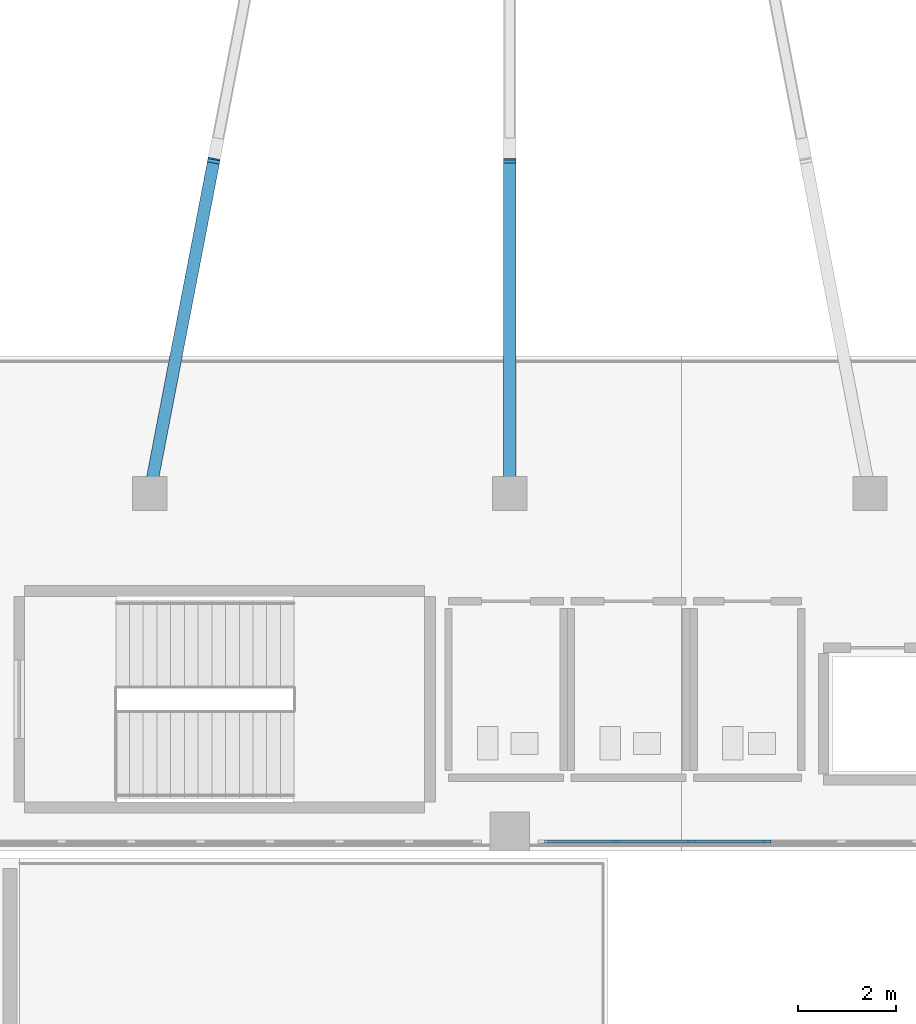
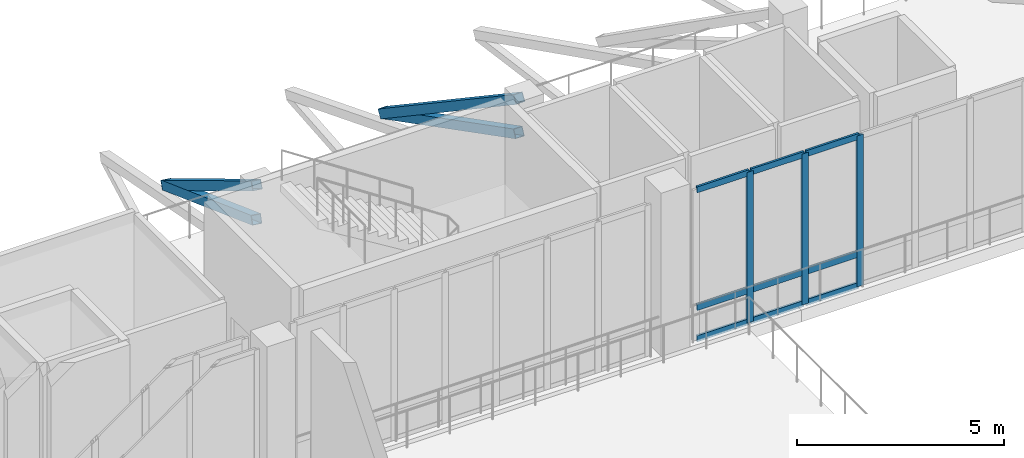
# One storey, part 9 of 79: 16 members, 1 element without a shape of its own.
"""IFC4 building model written with IfcOpenShell, lengths in metres."""

from ifc_helpers import new_model, si_unit, derived_unit, direction, frame, origin, origin_2d, place, context, subcontext, project, spatial, rectangle, hollow_rectangle, extrude, material, layer, layer_set, material_profile, profile_set, type_object, element, aggregate, save


model = new_model("IFC4")

# Units and contexts
model_context = context("Model", 3, precision=1e-05, world=origin(), true_north=direction((0.0, 1.0)))
body_context = subcontext(model_context, "Body", "Model", "MODEL_VIEW")
ifc_project = project(units=[si_unit("LENGTHUNIT", "METRE"), si_unit("AREAUNIT", "SQUARE_METRE"), si_unit("VOLUMEUNIT", "CUBIC_METRE"), si_unit("PLANEANGLEUNIT", "RADIAN"), si_unit("MASSUNIT", "GRAM", prefix="KILO"), derived_unit("THERMALTRANSMITTANCEUNIT", [(si_unit("MASSUNIT", "GRAM", prefix="KILO"), 1), (si_unit("TIMEUNIT", "SECOND"), -3), (si_unit("THERMODYNAMICTEMPERATUREUNIT", "KELVIN"), -1)])], contexts=[model_context])

# Site, building, storey
site_placement = place(None, origin())
site = spatial("IfcSite", under=ifc_project, at=site_placement, CompositionType="ELEMENT")
building_placement = place(site_placement, origin())
building = spatial("IfcBuilding", under=site, at=building_placement, Name="Valcora Ridge Arena", CompositionType="ELEMENT")
storey_placement = place(building_placement, frame((0.0, 0.0, 16.199951171875)))
storey = spatial("IfcBuildingStorey", under=building, at=storey_placement, Name="L03", CompositionType="ELEMENT", Elevation=16.199951171875)

# Curtain wall, members
ifc_material_1 = material(Name="Anodised dark bronze architectural aluminium 6063-T6", Category="aluminium")
ifc_layer = layer(ifc_material_1, 0.179931640625, Name="Anodised dark bronze architectural aluminium 6063-T6")
ifc_layer_set = layer_set([ifc_layer], Name="Anodised dark bronze architectural aluminium 6063-T6")
curtain_wall_type = type_object("IfcCurtainWallType", Name="TY-CURTAINWALL-CW-V1-GOTH-107X44", PredefinedType="NOTDEFINED", material=ifc_layer_set)
curtain_wall_placement = place(storey_placement, origin())
curtain_wall = element("IfcCurtainWall", 1, at=curtain_wall_placement, inside=storey, type_object=curtain_wall_type, Name="CW-V1-GOTH-107X44 CW-0139", PredefinedType="NOTDEFINED")
ifc_material_profile_1 = material_profile(ifc_material_1, rectangle(XDim=0.06005859375, YDim=0.179931640625, at=origin_2d()), Name="ALU MULLION 60x180")
ifc_profile_set_1 = profile_set([ifc_material_profile_1], Name="Anodised dark bronze architectural aluminium 6063-T6")
member_type_1 = type_object("IfcMemberType", Name="TY-MEM-CWM-60x180", PredefinedType="MULLION", material=ifc_profile_set_1)
member_1_placement = place(storey_placement, frame((60.17138671875, 20.199951171875, 0.0), z_axis=(0.0, 0.0, 1.0), x_axis=(0.0, 1.0, 0.0)))
member_1 = element("IfcMember", 2, at=member_1_placement, type_object=member_type_1, Name="CW-0139/CWM-60x180/M01", PredefinedType="MULLION", context=body_context, shape_type="SweptSolid", body=[
    extrude(rectangle(XDim=0.06005859375, YDim=0.179931640625, at=origin_2d()), origin(), (0.0, 0.0, 1.0), 4.43994140625),
])
member_2_placement = place(storey_placement, frame((61.702880859375, 20.199951171875, 0.0), z_axis=(0.0, 0.0, 1.0), x_axis=(0.0, 1.0, 0.0)))
member_2 = element("IfcMember", 3, at=member_2_placement, type_object=member_type_1, Name="CW-0139/CWM-60x180/M02", PredefinedType="MULLION", context=body_context, shape_type="SweptSolid", body=[
    extrude(rectangle(XDim=0.06005859375, YDim=0.179931640625, at=origin_2d()), origin(), (0.0, 0.0, 1.0), 4.43994140625),
])
member_3_placement = place(storey_placement, frame((63.234375, 20.199951171875, 0.0), z_axis=(0.0, 0.0, 1.0), x_axis=(0.0, 1.0, 0.0)))
member_3 = element("IfcMember", 4, at=member_3_placement, type_object=member_type_1, Name="CW-0139/CWM-60x180/M03", PredefinedType="MULLION", context=body_context, shape_type="SweptSolid", body=[
    extrude(rectangle(XDim=0.06005859375, YDim=0.179931640625, at=origin_2d()), origin(), (0.0, 0.0, 1.0), 4.43994140625),
])
ifc_material_profile_2 = material_profile(ifc_material_1, rectangle(XDim=0.06005859375, YDim=0.179931640625, at=origin_2d()), Name="ALU TRANSOM 60x180")
ifc_profile_set_2 = profile_set([ifc_material_profile_2], Name="Anodised dark bronze architectural aluminium 6063-T6")
member_type_2 = type_object("IfcMemberType", Name="TY-MEM-CWT-60x180", PredefinedType="USERDEFINED", material=ifc_profile_set_2)
member_4_placement = place(storey_placement, frame((58.699951171875, 20.199951171875, 0.030029296875), z_axis=(1.0, 0.0, 0.0), x_axis=(0.0, 1.0, 0.0)))
member_4 = element("IfcMember", 5, at=member_4_placement, type_object=member_type_2, Name="CW-0139/CWT-60x180/T00-00", ObjectType="TRANSOM", PredefinedType="USERDEFINED", context=body_context, shape_type="SweptSolid", body=[
    extrude(rectangle(XDim=0.06005859375, YDim=0.179931640625, at=origin_2d()), origin(), (0.0, 0.0, 1.0), 1.441162109375),
])
member_5_placement = place(storey_placement, frame((58.699951171875, 20.199951171875, 0.949951171875), z_axis=(1.0, 0.0, 0.0), x_axis=(0.0, 1.0, 0.0)))
member_5 = element("IfcMember", 6, at=member_5_placement, type_object=member_type_2, Name="CW-0139/CWT-60x180/T00-01", ObjectType="TRANSOM", PredefinedType="USERDEFINED", context=body_context, shape_type="SweptSolid", body=[
    extrude(rectangle(XDim=0.06005859375, YDim=0.179931640625, at=origin_2d()), origin(), (0.0, 0.0, 1.0), 1.441162109375),
])
member_6_placement = place(storey_placement, frame((58.699951171875, 20.199951171875, 4.41015625), z_axis=(1.0, 0.0, 0.0), x_axis=(0.0, 1.0, 0.0)))
member_6 = element("IfcMember", 7, at=member_6_placement, type_object=member_type_2, Name="CW-0139/CWT-60x180/T00-02", ObjectType="TRANSOM", PredefinedType="USERDEFINED", context=body_context, shape_type="SweptSolid", body=[
    extrude(rectangle(XDim=0.06005859375, YDim=0.179931640625, at=origin_2d()), origin(), (0.0, 0.0, 1.0), 1.441162109375),
])
member_7_placement = place(storey_placement, frame((60.200927734375, 20.199951171875, 0.030029296875), z_axis=(1.0, 0.0, 0.0), x_axis=(0.0, 1.0, 0.0)))
member_7 = element("IfcMember", 8, at=member_7_placement, type_object=member_type_2, Name="CW-0139/CWT-60x180/T01-00", ObjectType="TRANSOM", PredefinedType="USERDEFINED", context=body_context, shape_type="SweptSolid", body=[
    extrude(rectangle(XDim=0.06005859375, YDim=0.179931640625, at=origin_2d()), origin(), (0.0, 0.0, 1.0), 1.47216796875),
])
member_8_placement = place(storey_placement, frame((60.200927734375, 20.199951171875, 0.949951171875), z_axis=(1.0, 0.0, 0.0), x_axis=(0.0, 1.0, 0.0)))
member_8 = element("IfcMember", 9, at=member_8_placement, type_object=member_type_2, Name="CW-0139/CWT-60x180/T01-01", ObjectType="TRANSOM", PredefinedType="USERDEFINED", context=body_context, shape_type="SweptSolid", body=[
    extrude(rectangle(XDim=0.06005859375, YDim=0.179931640625, at=origin_2d()), origin(), (0.0, 0.0, 1.0), 1.47216796875),
])
member_9_placement = place(storey_placement, frame((60.200927734375, 20.199951171875, 4.41015625), z_axis=(1.0, 0.0, 0.0), x_axis=(0.0, 1.0, 0.0)))
member_9 = element("IfcMember", 10, at=member_9_placement, type_object=member_type_2, Name="CW-0139/CWT-60x180/T01-02", ObjectType="TRANSOM", PredefinedType="USERDEFINED", context=body_context, shape_type="SweptSolid", body=[
    extrude(rectangle(XDim=0.06005859375, YDim=0.179931640625, at=origin_2d()), origin(), (0.0, 0.0, 1.0), 1.47216796875),
])
member_10_placement = place(storey_placement, frame((61.73291015625, 20.199951171875, 0.030029296875), z_axis=(1.0, 0.0, 0.0), x_axis=(0.0, 1.0, 0.0)))
member_10 = element("IfcMember", 11, at=member_10_placement, type_object=member_type_2, Name="CW-0139/CWT-60x180/T02-00", ObjectType="TRANSOM", PredefinedType="USERDEFINED", context=body_context, shape_type="SweptSolid", body=[
    extrude(rectangle(XDim=0.06005859375, YDim=0.179931640625, at=origin_2d()), origin(), (0.0, 0.0, 1.0), 1.47119140625),
])
member_11_placement = place(storey_placement, frame((61.73291015625, 20.199951171875, 0.949951171875), z_axis=(1.0, 0.0, 0.0), x_axis=(0.0, 1.0, 0.0)))
member_11 = element("IfcMember", 12, at=member_11_placement, type_object=member_type_2, Name="CW-0139/CWT-60x180/T02-01", ObjectType="TRANSOM", PredefinedType="USERDEFINED", context=body_context, shape_type="SweptSolid", body=[
    extrude(rectangle(XDim=0.06005859375, YDim=0.179931640625, at=origin_2d()), origin(), (0.0, 0.0, 1.0), 1.47119140625),
])
member_12_placement = place(storey_placement, frame((61.73291015625, 20.199951171875, 4.41015625), z_axis=(1.0, 0.0, 0.0), x_axis=(0.0, 1.0, 0.0)))
member_12 = element("IfcMember", 13, at=member_12_placement, type_object=member_type_2, Name="CW-0139/CWT-60x180/T02-02", ObjectType="TRANSOM", PredefinedType="USERDEFINED", context=body_context, shape_type="SweptSolid", body=[
    extrude(rectangle(XDim=0.06005859375, YDim=0.179931640625, at=origin_2d()), origin(), (0.0, 0.0, 1.0), 1.47119140625),
])
aggregate(curtain_wall, [member_1, member_2, member_3, member_4, member_5, member_6, member_7, member_8, member_9, member_10, member_11, member_12])

# Members
ifc_material_2 = material(Name="Steel ASTM A500 Grade C", Category="steel")
ifc_material_profile_3 = material_profile(ifc_material_2, hollow_rectangle(XDim=0.25, YDim=0.25, WallThickness=0.012451171875, at=origin_2d()), Name="HSS250X250X12")
ifc_profile_set_3 = profile_set([ifc_material_profile_3], Name="Steel ASTM A500 Grade C")
member_type_3 = type_object("IfcMemberType", Name="TY-MEMBER-RKRUC-251", PredefinedType="CHORD", material=ifc_profile_set_3)
member_13_placement = place(storey_placement, frame((51.955810546875, 34.070556640625, -1.495849609375), z_axis=(-0.15809924843, -0.819778413767, 0.550425271919), x_axis=(0.981906452279, -0.189366625818, 0.0)))
element("IfcMember", 14, at=member_13_placement, inside=storey, type_object=member_type_3, Name="RKRUC-251 MBR-RK-RKRUC-251-0004", PredefinedType="CHORD", context=body_context, shape_type="SweptSolid", body=[
    extrude(hollow_rectangle(XDim=0.25, YDim=0.25, WallThickness=0.012451171875, at=origin_2d()), origin(), (0.0, 0.0, 1.0), 7.97900390625),
])
member_14_placement = place(storey_placement, frame((58.0, 34.0673828125, -1.493896484375), z_axis=(0.0, -0.830208622139, 0.557452817488), x_axis=(1.0, 0.0, 0.0)))
element("IfcMember", 15, at=member_14_placement, inside=storey, type_object=member_type_3, Name="RKRUC-251 MBR-RK-RKRUC-251-0005", PredefinedType="CHORD", context=body_context, shape_type="SweptSolid", body=[
    extrude(hollow_rectangle(XDim=0.25, YDim=0.25, WallThickness=0.012451171875, at=origin_2d()), origin(), (0.0, 0.0, 1.0), 7.871337890625),
])
ifc_material_profile_4 = material_profile(ifc_material_2, hollow_rectangle(XDim=0.25, YDim=0.25, WallThickness=0.012451171875, at=origin_2d()), Name="HSS250X250X12")
ifc_profile_set_4 = profile_set([ifc_material_profile_4], Name="Steel ASTM A500 Grade C")
member_type_4 = type_object("IfcMemberType", Name="TY-MEMBER-RKRUT-250", PredefinedType="BRACE", material=ifc_profile_set_4)
member_15_placement = place(storey_placement, frame((51.95263671875, 34.0546875, -1.4736328125), z_axis=(-0.169041063343, -0.876501911871, 0.450743294339), x_axis=(0.981905964096, -0.189369157129, 0.0)))
element("IfcMember", 16, at=member_15_placement, inside=storey, type_object=member_type_4, Name="RKRUT-250 Raker Tie Brace", PredefinedType="BRACE", context=body_context, shape_type="SweptSolid", body=[
    extrude(hollow_rectangle(XDim=0.25, YDim=0.25, WallThickness=0.012451171875, at=origin_2d()), origin(), (0.0, 0.0, 1.0), 7.426513671875),
])
member_16_placement = place(storey_placement, frame((58.0, 34.051025390625, -1.471923828125), z_axis=(0.0, -0.88928042979, 0.457362347808), x_axis=(1.0, 0.0, 0.0)))
element("IfcMember", 17, at=member_16_placement, inside=storey, type_object=member_type_4, Name="RKRUT-250 Raker Tie Brace", PredefinedType="BRACE", context=body_context, shape_type="SweptSolid", body=[
    extrude(hollow_rectangle(XDim=0.25, YDim=0.25, WallThickness=0.012451171875, at=origin_2d()), origin(), (0.0, 0.0, 1.0), 7.3115234375),
])

save(model, "model.ifc")
